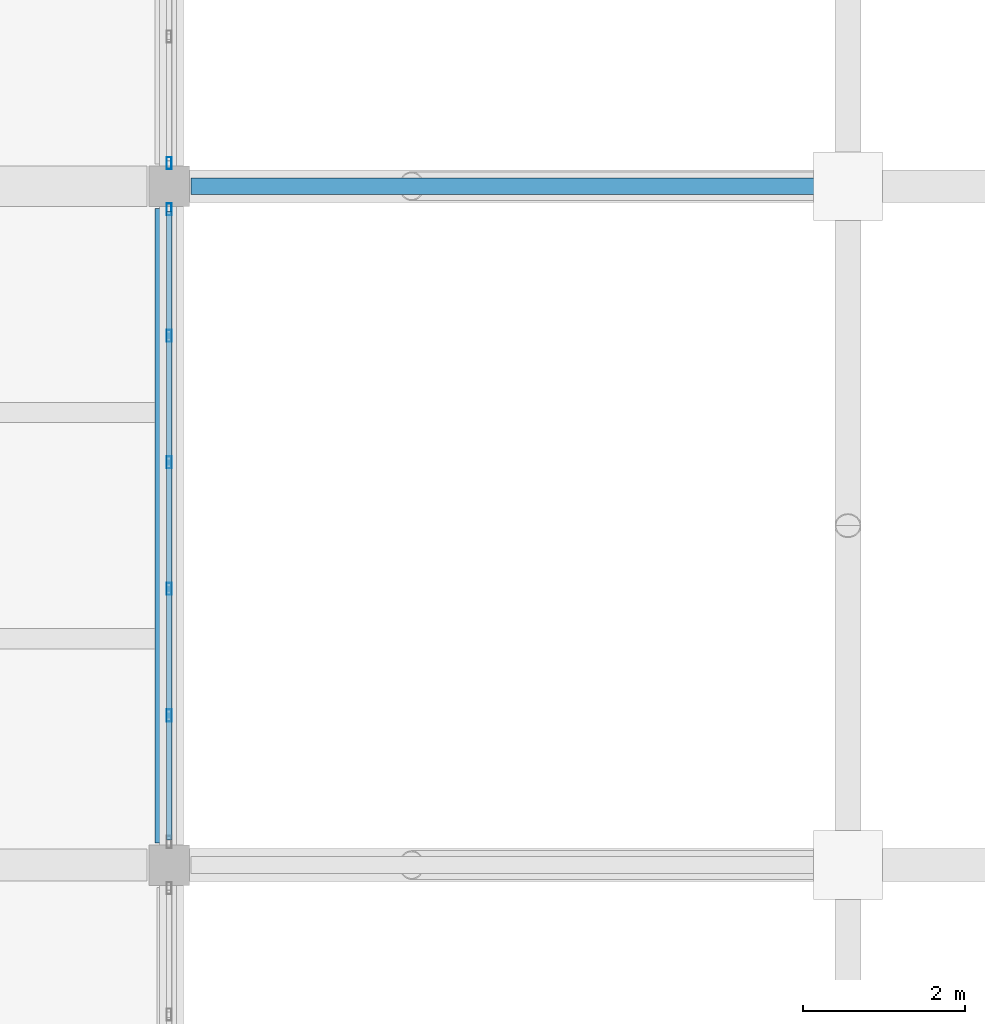
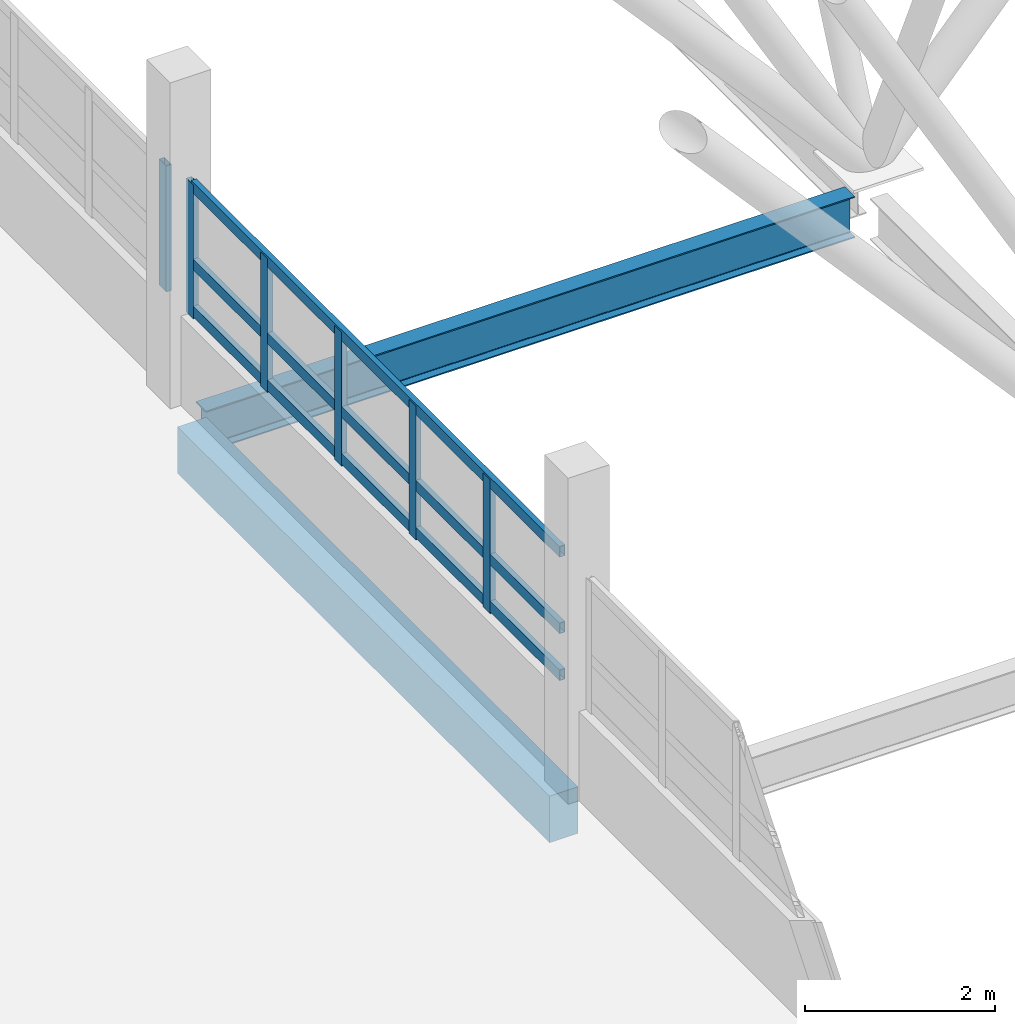
# One storey, part 17 of 107: 9 members, 2 beams, 2 elements without a shape of their own.
"""IFC4 building model written with IfcOpenShell, lengths in metres."""

from ifc_helpers import new_model, si_unit, direction, frame, origin, origin_2d, place, context, subcontext, project, spatial, rectangle, hollow_rectangle, i_section, extrude, material, layer, layer_set, material_profile, profile_set, type_object, element, aggregate, save


model = new_model("IFC4")

# Units and contexts
model_context = context("Model", 3, precision=1e-05, world=origin(), true_north=direction((0.0, 1.0)))
body_context = subcontext(model_context, "Body", "Model", "MODEL_VIEW")
ifc_project = project(units=[si_unit("LENGTHUNIT", "METRE"), si_unit("AREAUNIT", "SQUARE_METRE"), si_unit("VOLUMEUNIT", "CUBIC_METRE"), si_unit("PLANEANGLEUNIT", "RADIAN"), si_unit("MASSUNIT", "GRAM", prefix="KILO")], contexts=[model_context])

# Site, building, storey
site_placement = place(None, origin())
site = spatial("IfcSite", under=ifc_project, at=site_placement, CompositionType="ELEMENT")
building_placement = place(site_placement, origin())
building = spatial("IfcBuilding", under=site, at=building_placement, Name="Vireocrest Preparatory School", CompositionType="ELEMENT")
storey_placement = place(building_placement, frame((0.0, 0.0, 13.199951171875)))
storey = spatial("IfcBuildingStorey", under=building, at=storey_placement, Name="L03", CompositionType="ELEMENT", Elevation=13.199951171875)

# Curtain wall, members
ifc_material_1 = material(Name="Thermally broken aluminium EN AW-6063-T6", Category="aluminium")
ifc_layer = layer(ifc_material_1, 0.179931640625)
ifc_layer_set = layer_set([ifc_layer], Name="Thermally broken aluminium EN AW-6063-T6")
curtain_wall_type = type_object("IfcCurtainWallType", Name="Court Banded Curtain Wall 8400x3000", PredefinedType="USERDEFINED", material=ifc_layer_set)
curtain_wall_1_placement = place(storey_placement, origin())
curtain_wall_1 = element("IfcCurtainWall", 1, at=curtain_wall_1_placement, inside=storey, type_object=curtain_wall_type, Name="Curtain Wall CW02 CW_L03_CW02_0672_0440_144", ObjectType="CURTAIN WALL", PredefinedType="USERDEFINED")
ifc_material_profile_1 = material_profile(ifc_material_1, hollow_rectangle(XDim=0.06494140625, YDim=0.14990234375, WallThickness=0.00390625, at=origin_2d()), Name="ALU 65x150x4")
ifc_profile_set_1 = profile_set([ifc_material_profile_1], Name="Thermally broken aluminium EN AW-6063-T6")
member_type_1 = type_object("IfcMemberType", Name="CW Mullion 65x150x4", PredefinedType="MULLION", material=ifc_profile_set_1)
member_1_placement = place(storey_placement, frame((67.199951171875, 45.65087890625, 1.150146484375), z_axis=(0.0, 0.0, 1.0), x_axis=(1.0, 0.0, 0.0)))
member_1 = element("IfcMember", 2, at=member_1_placement, type_object=member_type_1, Name="CW Mullion ML1 CW_L03_CW02_0672_0440_144-2", PredefinedType="MULLION", context=body_context, shape_type="SweptSolid", body=[
    extrude(hollow_rectangle(XDim=0.06494140625, YDim=0.14990234375, WallThickness=0.00390625, at=origin_2d()), origin(), (0.0, 0.0, 1.0), 1.724853515625),
])
member_2_placement = place(storey_placement, frame((67.199951171875, 47.217041015625, 1.150146484375), z_axis=(0.0, 0.0, 1.0), x_axis=(1.0, 0.0, 0.0)))
member_2 = element("IfcMember", 3, at=member_2_placement, type_object=member_type_1, Name="CW Mullion ML1 CW_L03_CW02_0672_0440_144-3", PredefinedType="MULLION", context=body_context, shape_type="SweptSolid", body=[
    extrude(hollow_rectangle(XDim=0.06494140625, YDim=0.14990234375, WallThickness=0.00390625, at=origin_2d()), origin(), (0.0, 0.0, 1.0), 1.724853515625),
])
member_3_placement = place(storey_placement, frame((67.199951171875, 48.782958984375, 1.150146484375), z_axis=(0.0, 0.0, 1.0), x_axis=(1.0, 0.0, 0.0)))
member_3 = element("IfcMember", 4, at=member_3_placement, type_object=member_type_1, Name="CW Mullion ML1 CW_L03_CW02_0672_0440_144-4", PredefinedType="MULLION", context=body_context, shape_type="SweptSolid", body=[
    extrude(hollow_rectangle(XDim=0.06494140625, YDim=0.14990234375, WallThickness=0.00390625, at=origin_2d()), origin(), (0.0, 0.0, 1.0), 1.724853515625),
])
member_4_placement = place(storey_placement, frame((67.199951171875, 50.34912109375, 1.150146484375), z_axis=(0.0, 0.0, 1.0), x_axis=(1.0, 0.0, 0.0)))
member_4 = element("IfcMember", 5, at=member_4_placement, type_object=member_type_1, Name="CW Mullion ML1 CW_L03_CW02_0672_0440_144-5", PredefinedType="MULLION", context=body_context, shape_type="SweptSolid", body=[
    extrude(hollow_rectangle(XDim=0.06494140625, YDim=0.14990234375, WallThickness=0.00390625, at=origin_2d()), origin(), (0.0, 0.0, 1.0), 1.724853515625),
])
member_5_placement = place(storey_placement, frame((67.199951171875, 51.9150390625, 1.150146484375), z_axis=(0.0, 0.0, 1.0), x_axis=(1.0, 0.0, 0.0)))
member_5 = element("IfcMember", 6, at=member_5_placement, type_object=member_type_1, Name="CW Mullion ML1 CW_L03_CW02_0672_0440_144-6", PredefinedType="MULLION", context=body_context, shape_type="SweptSolid", body=[
    extrude(hollow_rectangle(XDim=0.06494140625, YDim=0.14990234375, WallThickness=0.00390625, at=origin_2d()), origin(), (0.0, 0.0, 1.0), 1.724853515625),
])

# Curtain wall, member
curtain_wall_2_placement = place(storey_placement, origin())
curtain_wall_2 = element("IfcCurtainWall", 7, at=curtain_wall_2_placement, inside=storey, type_object=curtain_wall_type, Name="Curtain Wall CW02 CW_L03_CW02_0672_0524_144", ObjectType="CURTAIN WALL", PredefinedType="USERDEFINED")
member_6_placement = place(storey_placement, frame((67.199951171875, 52.485107421875, 1.150146484375), z_axis=(0.0, 0.0, 1.0), x_axis=(1.0, 0.0, 0.0)))
member_6 = element("IfcMember", 8, at=member_6_placement, type_object=member_type_1, Name="CW Mullion ML1 CW_L03_CW02_0672_0524_144-1", PredefinedType="MULLION", context=body_context, shape_type="SweptSolid", body=[
    extrude(hollow_rectangle(XDim=0.06494140625, YDim=0.14990234375, WallThickness=0.00390625, at=origin_2d()), origin(), (0.0, 0.0, 1.0), 1.625),
])
aggregate(curtain_wall_2, [member_6])

# Member
ifc_material_profile_2 = material_profile(ifc_material_1, hollow_rectangle(XDim=0.06494140625, YDim=0.139892578125, WallThickness=0.00390625, at=origin_2d()), Name="ALU 65x140x4")
ifc_profile_set_2 = profile_set([ifc_material_profile_2], Name="Thermally broken aluminium EN AW-6063-T6")
member_type_2 = type_object("IfcMemberType", Name="CW Transom 65x140x4", PredefinedType="USERDEFINED", material=ifc_profile_set_2)
member_7_placement = place(storey_placement, frame((67.199951171875, 44.110107421875, 1.2451171875), z_axis=(0.0, 1.0, 0.0), x_axis=(-1.0, 0.0, 0.0)))
member_7 = element("IfcMember", 9, at=member_7_placement, type_object=member_type_2, Name="CW Transom TR1 CW_L03_CW02_0672_0440_144-1", ObjectType="TRANSOM", PredefinedType="USERDEFINED", context=body_context, shape_type="SweptSolid", body=[
    extrude(hollow_rectangle(XDim=0.06494140625, YDim=0.139892578125, WallThickness=0.00390625, at=origin_2d()), origin(), (0.0, 0.0, 1.0), 7.77978515625),
])

member_8_placement = place(storey_placement, frame((67.199951171875, 44.110107421875, 1.85009765625), z_axis=(0.0, 1.0, 0.0), x_axis=(-1.0, 0.0, 0.0)))
member_8 = element("IfcMember", 10, at=member_8_placement, type_object=member_type_2, Name="CW Transom TR1 CW_L03_CW02_0672_0440_144-2", ObjectType="TRANSOM", PredefinedType="USERDEFINED", context=body_context, shape_type="SweptSolid", body=[
    extrude(hollow_rectangle(XDim=0.06494140625, YDim=0.139892578125, WallThickness=0.00390625, at=origin_2d()), origin(), (0.0, 0.0, 1.0), 7.77978515625),
])

member_9_placement = place(storey_placement, frame((67.199951171875, 44.110107421875, 2.8349609375), z_axis=(0.0, 1.0, 0.0), x_axis=(-1.0, 0.0, 0.0)))
member_9 = element("IfcMember", 11, at=member_9_placement, type_object=member_type_2, Name="CW Transom TR1 CW_L03_CW02_0672_0440_144-3", ObjectType="TRANSOM", PredefinedType="USERDEFINED", context=body_context, shape_type="SweptSolid", body=[
    extrude(hollow_rectangle(XDim=0.06494140625, YDim=0.139892578125, WallThickness=0.00390625, at=origin_2d()), origin(), (0.0, 0.0, 1.0), 7.77978515625),
])

aggregate(curtain_wall_1, [member_1, member_2, member_3, member_4, member_5, member_7, member_8, member_9])

# Beams
ifc_material_2 = material(Name="Structural steel ASTM A992 Grade 50", Category="steel")
ifc_material_profile_3 = material_profile(ifc_material_2, i_section(OverallWidth=0.208984375, OverallDepth=0.532958984375, WebThickness=0.01025390625, FlangeThickness=0.015625, FilletRadius=0.014892578125, at=origin_2d()), Name="W21X62")
ifc_profile_set_3 = profile_set([ifc_material_profile_3], Name="Structural steel ASTM A992 Grade 50")
beam_type_1 = type_object("IfcBeamType", Name="Court Tie Girder W21X62", PredefinedType="BEAM", material=ifc_profile_set_3)
beam_1_placement = place(storey_placement, frame((67.469970703125, 52.199951171875, -0.56640625), z_axis=(1.0, 0.0, 0.0), x_axis=(0.0, 1.0, 0.0)))
element("IfcBeam", 12, at=beam_1_placement, inside=storey, type_object=beam_type_1, Name="Court Trunk Lateral Tie Girder SB5 W4 L03", PredefinedType="BEAM", context=body_context, shape_type="SweptSolid", body=[
    extrude(i_section(OverallWidth=0.208984375, OverallDepth=0.532958984375, WebThickness=0.01025390625, FlangeThickness=0.015625, FilletRadius=0.014892578125, at=origin_2d()), origin(), (0.0, 0.0, 1.0), 7.906494140625),
])
ifc_material_3 = material(Name="Concrete 40 MPa", Category="concrete")
ifc_material_profile_4 = material_profile(ifc_material_3, rectangle(XDim=0.35009765625, YDim=0.60009765625, at=origin_2d()), Name="RC 350x600")
ifc_profile_set_4 = profile_set([ifc_material_profile_4], Name="Concrete 40 MPa")
beam_type_2 = type_object("IfcBeamType", Name="RC Classroom Girder 350x600", PredefinedType="BEAM", material=ifc_profile_set_4)
beam_2_placement = place(storey_placement, frame((67.199951171875, 44.074951171875, -0.5400390625), z_axis=(0.0, 1.0, 0.0), x_axis=(-1.0, 0.0, 0.0)))
element("IfcBeam", 13, at=beam_2_placement, inside=storey, type_object=beam_type_2, Name="Primary Girder B04 L03-1131", PredefinedType="BEAM", context=body_context, shape_type="SweptSolid", body=[
    extrude(rectangle(XDim=0.35009765625, YDim=0.60009765625, at=origin_2d()), origin(), (0.0, 0.0, 1.0), 7.85009765625),
])

save(model, "model.ifc")
